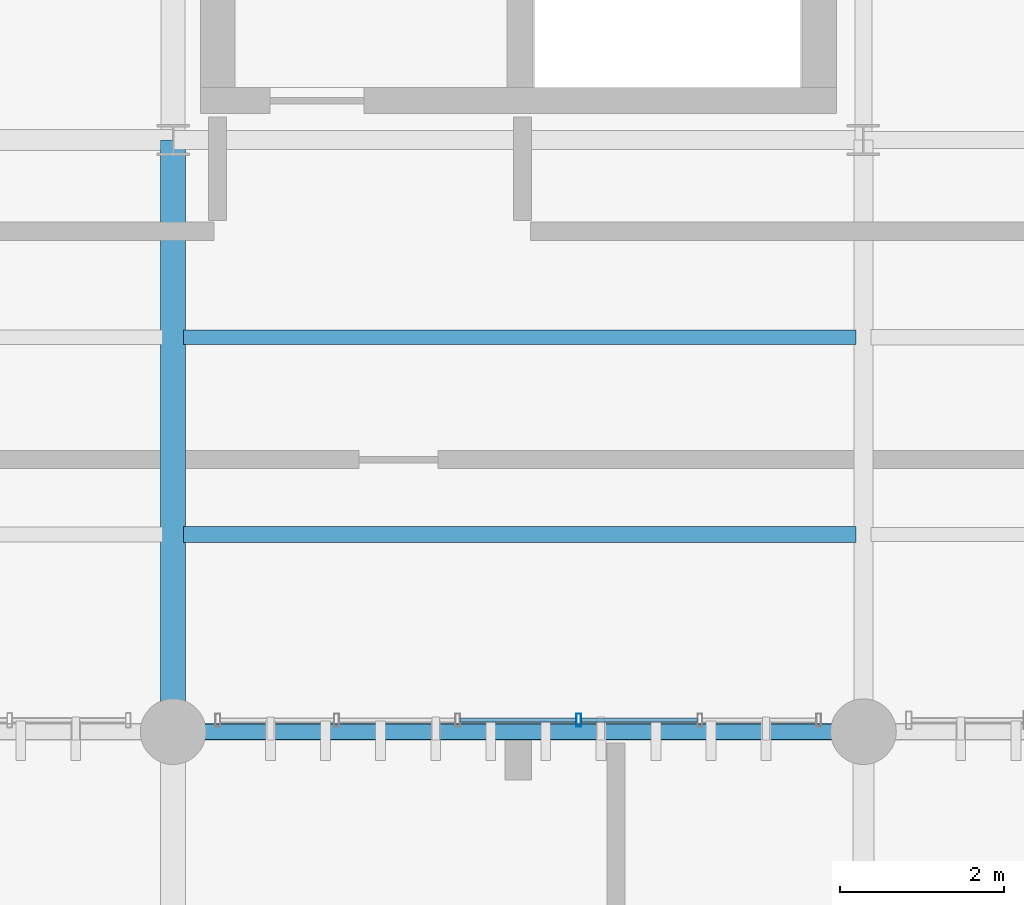
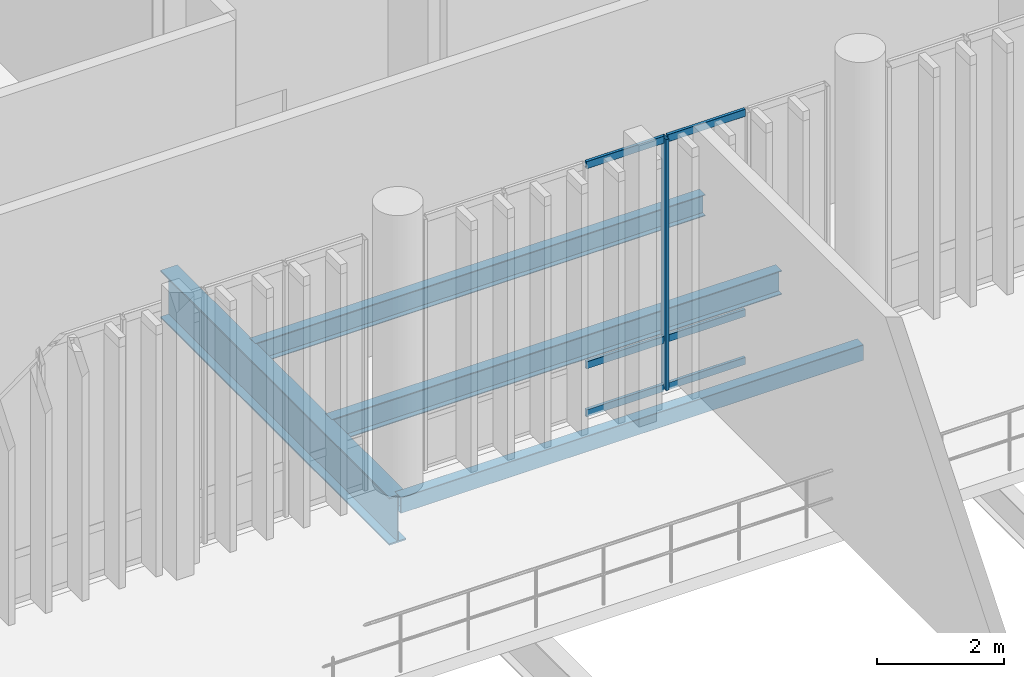
# One storey, part 61 of 128: 7 members, 4 beams, 1 element without a shape of its own.
"""IFC4 building model written with IfcOpenShell, lengths in metres."""

from ifc_helpers import new_model, si_unit, direction, frame, origin_with_axes, origin_2d_with_axis, place, context, subcontext, project, spatial, hollow_rectangle, i_section, extrude, material, material_profile, profile_set, type_object, element, aggregate, save


model = new_model("IFC4")

# Units and contexts
model_context = context("Model", 3, precision=1e-05, world=origin_with_axes(), true_north=direction((0.0, 1.0)))
body_context = subcontext(model_context, "Body", "Model", "MODEL_VIEW")
ifc_project = project(units=[si_unit("LENGTHUNIT", "METRE"), si_unit("AREAUNIT", "SQUARE_METRE"), si_unit("VOLUMEUNIT", "CUBIC_METRE"), si_unit("PLANEANGLEUNIT", "RADIAN"), si_unit("MASSUNIT", "GRAM", prefix="KILO"), si_unit("THERMODYNAMICTEMPERATUREUNIT", "KELVIN")], contexts=[model_context])

# Site, building, storey
site_placement = place(None, origin_with_axes())
site = spatial("IfcSite", under=ifc_project, at=site_placement, CompositionType="ELEMENT")
building_placement = place(site_placement, origin_with_axes())
building = spatial("IfcBuilding", under=site, at=building_placement, Name="Montbau Bow Law Courts", CompositionType="ELEMENT")
storey_placement = place(building_placement, frame((0.0, 0.0, 5.4), z_axis=(0.0, 0.0, 1.0), x_axis=(1.0, 0.0, 0.0)))
storey = spatial("IfcBuildingStorey", under=building, at=storey_placement, Name="L01", CompositionType="ELEMENT", Elevation=5.4)

# Beams
ifc_material_1 = material(Name="Steel CSA G40.21 Grade 350W (350 MPa)", Category="steel")
ifc_material_profile_1 = material_profile(ifc_material_1, i_section(OverallWidth=0.306, OverallDepth=0.919, WebThickness=0.0173, FlangeThickness=0.0279, at=origin_2d_with_axis()), Name="W920X253", Category="Main", Priority=0)
ifc_profile_set_1 = profile_set([ifc_material_profile_1], Name="Steel CSA G40.21 Grade 350W (350 MPa)")
beam_type_1 = type_object("IfcBeamType", Name="B-FLR-01", PredefinedType="BEAM", material=ifc_profile_set_1)
beam_1_placement = place(None, frame((80.4, 39.0, 4.7), z_axis=(0.0, 1.0, 0.0), x_axis=(-1.0, 0.0, 0.0)))
element("IfcBeam", 1, at=beam_1_placement, inside=storey, type_object=beam_type_1, Name="BM-L01-S0831:bm2_0834", PredefinedType="BEAM", context=body_context, shape_type="SweptSolid", body=[
    extrude(i_section(OverallWidth=0.306, OverallDepth=0.919, WebThickness=0.0173, FlangeThickness=0.0279, at=origin_2d_with_axis()), origin_with_axes(), (0.0, 0.0, 1.0), 7.2),
])
ifc_material_profile_2 = material_profile(ifc_material_1, i_section(OverallWidth=0.191, OverallDepth=0.46, WebThickness=0.0099, FlangeThickness=0.016, at=origin_2d_with_axis()), Name="W460X82", Category="Main", Priority=0)
ifc_profile_set_2 = profile_set([ifc_material_profile_2], Name="Steel CSA G40.21 Grade 350W (350 MPa)")
beam_type_2 = type_object("IfcBeamType", Name="B-JST-01", PredefinedType="JOIST", material=ifc_profile_set_2)
beam_2_placement = place(None, frame((80.529, 41.4, 4.93), z_axis=(1.0, 0.0, 0.0), x_axis=(0.0, 1.0, 0.0)))
element("IfcBeam", 2, at=beam_2_placement, inside=storey, type_object=beam_type_2, Name="JST-L01-S0428:jst2_0428", PredefinedType="JOIST", context=body_context, shape_type="SweptSolid", body=[
    extrude(i_section(OverallWidth=0.191, OverallDepth=0.46, WebThickness=0.0099, FlangeThickness=0.016, at=origin_2d_with_axis()), origin_with_axes(), (0.0, 0.0, 1.0), 8.18),
])
ifc_material_profile_3 = material_profile(ifc_material_1, i_section(OverallWidth=0.179, OverallDepth=0.41, WebThickness=0.0088, FlangeThickness=0.0144, at=origin_2d_with_axis()), Name="W410X67", Category="Main", Priority=0)
ifc_profile_set_3 = profile_set([ifc_material_profile_3], Name="Steel CSA G40.21 Grade 350W (350 MPa)")
beam_type_3 = type_object("IfcBeamType", Name="B-JST-02", PredefinedType="JOIST", material=ifc_profile_set_3)
beam_3_placement = place(None, frame((80.529, 43.8, 4.955), z_axis=(1.0, 0.0, 0.0), x_axis=(0.0, 1.0, 0.0)))
element("IfcBeam", 3, at=beam_3_placement, inside=storey, type_object=beam_type_3, Name="JST-L01-S0429:jst2_0429", PredefinedType="JOIST", context=body_context, shape_type="SweptSolid", body=[
    extrude(i_section(OverallWidth=0.179, OverallDepth=0.41, WebThickness=0.0088, FlangeThickness=0.0144, at=origin_2d_with_axis()), origin_with_axes(), (0.0, 0.0, 1.0), 8.18),
])
ifc_material_2 = material(Name="Steel CSA G40.21 Grade 350WT (350 MPa)", Category="steel")
ifc_material_profile_4 = material_profile(ifc_material_2, hollow_rectangle(XDim=0.203, YDim=0.305, WallThickness=0.0127, InnerFilletRadius=0.0254, OuterFilletRadius=0.0127, at=origin_2d_with_axis()), Name="HSS305X203X13", Category="Main", Priority=0)
ifc_profile_set_4 = profile_set([ifc_material_profile_4], Name="Steel CSA G40.21 Grade 350WT (350 MPa)")
beam_type_4 = type_object("IfcBeamType", Name="B-SPN-02", PredefinedType="SPANDREL", material=ifc_profile_set_4)
beam_4_placement = place(None, frame((80.4, 39.0, 5.008), z_axis=(1.0, 0.0, 0.0), x_axis=(0.0, 1.0, 0.0)))
element("IfcBeam", 4, at=beam_4_placement, inside=storey, type_object=beam_type_4, Name="SPN-L01-S0802:bm2_0805", PredefinedType="SPANDREL", context=body_context, shape_type="SweptSolid", body=[
    extrude(hollow_rectangle(XDim=0.203, YDim=0.305, WallThickness=0.0127, InnerFilletRadius=0.0254, OuterFilletRadius=0.0127, at=origin_2d_with_axis()), origin_with_axes(), (0.0, 0.0, 1.0), 8.4),
])

# Curtain wall, members
ifc_material_3 = material(Name="Thermally Broken Extruded Aluminium AA 6063-T6", Category="aluminium")
curtain_wall_type = type_object("IfcCurtainWallType", Name="CW-CRM-01", PredefinedType="NOTDEFINED", material=ifc_material_3)
curtain_wall_placement = place(None, frame((80.915, 39.14, 5.4), z_axis=(0.0, 0.0, 1.0), x_axis=(1.0, 0.0, 0.0)))
curtain_wall = element("IfcCurtainWall", 5, at=curtain_wall_placement, inside=storey, type_object=curtain_wall_type, Name="CW-L01-143:cw_0143", PredefinedType="NOTDEFINED")
ifc_material_profile_5 = material_profile(ifc_material_3, hollow_rectangle(XDim=0.06, YDim=0.16, WallThickness=0.004, InnerFilletRadius=0.008, OuterFilletRadius=0.004, at=origin_2d_with_axis()), Name="CWM-160X60", Category="Main", Priority=0)
ifc_profile_set_5 = profile_set([ifc_material_profile_5], Name="Thermally Broken Extruded Aluminium AA 6063-T6")
member_type_1 = type_object("IfcMemberType", Name="M-MUL-03", PredefinedType="MULLION", material=ifc_profile_set_5)
member_1_placement = place(None, frame((85.337, 39.14, 5.4), z_axis=(0.0, 0.0, 1.0), x_axis=(1.0, 0.0, 0.0)))
member_1 = element("IfcMember", 6, at=member_1_placement, type_object=member_type_1, Name="CW-L01-143-M04:cw_0143_M04", PredefinedType="MULLION", context=body_context, shape_type="SweptSolid", body=[
    extrude(hollow_rectangle(XDim=0.06, YDim=0.16, WallThickness=0.004, InnerFilletRadius=0.008, OuterFilletRadius=0.004, at=origin_2d_with_axis()), origin_with_axes(), (0.0, 0.0, 1.0), 4.82),
])
ifc_material_profile_6 = material_profile(ifc_material_3, hollow_rectangle(XDim=0.055, YDim=0.14, WallThickness=0.004, InnerFilletRadius=0.008, OuterFilletRadius=0.004, at=origin_2d_with_axis()), Name="CWT-140X55", Category="Main", Priority=0)
ifc_profile_set_6 = profile_set([ifc_material_profile_6], Name="Thermally Broken Extruded Aluminium AA 6063-T6")
member_type_2 = type_object("IfcMemberType", Name="M-TRN-02", PredefinedType="USERDEFINED", material=ifc_profile_set_6)
member_2_placement = place(None, frame((83.895, 39.14, 5.428), z_axis=(1.0, 0.0, 0.0), x_axis=(0.0, 1.0, 0.0)))
member_2 = element("IfcMember", 7, at=member_2_placement, type_object=member_type_2, Name="CW-L01-143-T03-1:cw_0143_T03_1", ObjectType="TRANSOM", PredefinedType="USERDEFINED", context=body_context, shape_type="SweptSolid", body=[
    extrude(hollow_rectangle(XDim=0.055, YDim=0.14, WallThickness=0.004, InnerFilletRadius=0.008, OuterFilletRadius=0.004, at=origin_2d_with_axis()), origin_with_axes(), (0.0, 0.0, 1.0), 1.41),
])
member_3_placement = place(None, frame((83.895, 39.14, 6.35), z_axis=(1.0, 0.0, 0.0), x_axis=(0.0, 1.0, 0.0)))
member_3 = element("IfcMember", 8, at=member_3_placement, type_object=member_type_2, Name="CW-L01-143-T03-2:cw_0143_T03_2", ObjectType="TRANSOM", PredefinedType="USERDEFINED", context=body_context, shape_type="SweptSolid", body=[
    extrude(hollow_rectangle(XDim=0.055, YDim=0.14, WallThickness=0.004, InnerFilletRadius=0.008, OuterFilletRadius=0.004, at=origin_2d_with_axis()), origin_with_axes(), (0.0, 0.0, 1.0), 1.41),
])
member_4_placement = place(None, frame((83.895, 39.14, 10.193), z_axis=(1.0, 0.0, 0.0), x_axis=(0.0, 1.0, 0.0)))
member_4 = element("IfcMember", 9, at=member_4_placement, type_object=member_type_2, Name="CW-L01-143-T03-3:cw_0143_T03_3", ObjectType="TRANSOM", PredefinedType="USERDEFINED", context=body_context, shape_type="SweptSolid", body=[
    extrude(hollow_rectangle(XDim=0.055, YDim=0.14, WallThickness=0.004, InnerFilletRadius=0.008, OuterFilletRadius=0.004, at=origin_2d_with_axis()), origin_with_axes(), (0.0, 0.0, 1.0), 1.41),
])
member_5_placement = place(None, frame((85.369, 39.14, 5.428), z_axis=(1.0, 0.0, 0.0), x_axis=(0.0, 1.0, 0.0)))
member_5 = element("IfcMember", 10, at=member_5_placement, type_object=member_type_2, Name="CW-L01-143-T04-1:cw_0143_T04_1", ObjectType="TRANSOM", PredefinedType="USERDEFINED", context=body_context, shape_type="SweptSolid", body=[
    extrude(hollow_rectangle(XDim=0.055, YDim=0.14, WallThickness=0.004, InnerFilletRadius=0.008, OuterFilletRadius=0.004, at=origin_2d_with_axis()), origin_with_axes(), (0.0, 0.0, 1.0), 1.41),
])
member_6_placement = place(None, frame((85.369, 39.14, 6.35), z_axis=(1.0, 0.0, 0.0), x_axis=(0.0, 1.0, 0.0)))
member_6 = element("IfcMember", 11, at=member_6_placement, type_object=member_type_2, Name="CW-L01-143-T04-2:cw_0143_T04_2", ObjectType="TRANSOM", PredefinedType="USERDEFINED", context=body_context, shape_type="SweptSolid", body=[
    extrude(hollow_rectangle(XDim=0.055, YDim=0.14, WallThickness=0.004, InnerFilletRadius=0.008, OuterFilletRadius=0.004, at=origin_2d_with_axis()), origin_with_axes(), (0.0, 0.0, 1.0), 1.41),
])
member_7_placement = place(None, frame((85.369, 39.14, 10.193), z_axis=(1.0, 0.0, 0.0), x_axis=(0.0, 1.0, 0.0)))
member_7 = element("IfcMember", 12, at=member_7_placement, type_object=member_type_2, Name="CW-L01-143-T04-3:cw_0143_T04_3", ObjectType="TRANSOM", PredefinedType="USERDEFINED", context=body_context, shape_type="SweptSolid", body=[
    extrude(hollow_rectangle(XDim=0.055, YDim=0.14, WallThickness=0.004, InnerFilletRadius=0.008, OuterFilletRadius=0.004, at=origin_2d_with_axis()), origin_with_axes(), (0.0, 0.0, 1.0), 1.41),
])
aggregate(curtain_wall, [member_1, member_2, member_3, member_4, member_5, member_6, member_7])

save(model, "model.ifc")
